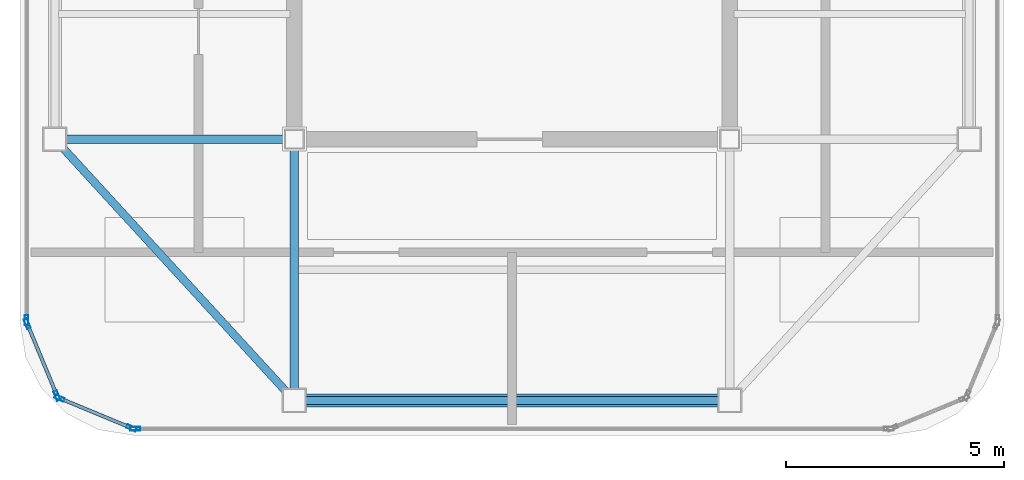
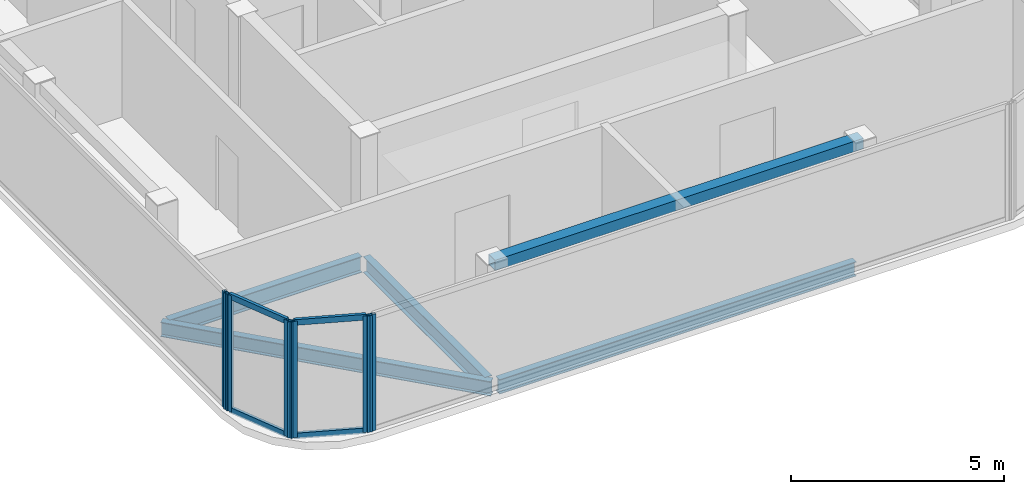
# One storey, part 2 of 11: 11 members, 4 beams, 4 elements without a shape of their own.
"""IFC4 building model written with IfcOpenShell, lengths in metres."""

from ifc_helpers import new_model, si_unit, direction, frame, origin, origin_2d, place, context, subcontext, project, spatial, hollow_rectangle, i_section, extrude, source, transform, mapped, material, layer, layer_set, material_profile, profile_set, type_object, element, aggregate, save


model = new_model("IFC4")

# Units and contexts
model_context = context("Model", 3, precision=1e-05, world=origin(), true_north=direction((0.0, 1.0)))
body_context = subcontext(model_context, "Body", "Model", "MODEL_VIEW")
ifc_project = project(units=[si_unit("LENGTHUNIT", "METRE"), si_unit("AREAUNIT", "SQUARE_METRE"), si_unit("VOLUMEUNIT", "CUBIC_METRE"), si_unit("PLANEANGLEUNIT", "RADIAN"), si_unit("MASSUNIT", "GRAM", prefix="KILO")], contexts=[model_context])

# Site, building, storey
site_placement = place(None, origin())
site = spatial("IfcSite", under=ifc_project, at=site_placement, CompositionType="ELEMENT")
building_placement = place(site_placement, origin())
building = spatial("IfcBuilding", under=site, at=building_placement, Name="Kolveth Station Tower", CompositionType="ELEMENT")
storey_placement = place(building_placement, frame((0.0, 0.0, 292.89990234375)))
storey = spatial("IfcBuildingStorey", under=building, at=storey_placement, Name="L84", CompositionType="ELEMENT", Elevation=292.89990234375)

# Beams
ifc_material_1 = material(Name="Steel S355", Category="steel")
ifc_material_profile_1 = material_profile(ifc_material_1, i_section(OverallWidth=0.180908203125, OverallDepth=0.4169921875, WebThickness=0.010986328125, FlangeThickness=0.018310546875, at=origin_2d()), Name="W410x85")
ifc_profile_set_1 = profile_set([ifc_material_profile_1], Name="Steel S355")
beam_type_1 = type_object("IfcBeamType", Name="Beam_B8", PredefinedType="BEAM", material=ifc_profile_set_1)
shared_shape_1 = source(origin(), body_context, "Body", "SweptSolid", [
    extrude(i_section(OverallWidth=0.180908203125, OverallDepth=0.4169921875, WebThickness=0.010986328125, FlangeThickness=0.018310546875, at=origin_2d()), origin(), (0.0, 0.0, 1.0), 9.68017578125),
])
beam_1_placement = place(storey_placement, frame((18.659912109375, 5.5, -0.428466796875), z_axis=(1.0, 0.0, 0.0), x_axis=(0.0, 1.0, 0.0)))
element("IfcBeam", 1, at=beam_1_placement, inside=storey, type_object=beam_type_1, Name="L84 Perimeter Spandrel BM-L84-PS-1", PredefinedType="BEAM", context=body_context, shape_type="MappedRepresentation", body=[
    mapped(shared_shape_1, transform((0.0, 0.0, 0.0), x_axis=(1.0, 0.0, 0.0), y_axis=(0.0, 1.0, 0.0), z_axis=(0.0, 0.0, 1.0), scale=1.0)),
])
ifc_material_profile_2 = material_profile(ifc_material_1, i_section(OverallWidth=0.19091796875, OverallDepth=0.4599609375, WebThickness=0.010009765625, FlangeThickness=0.01611328125, at=origin_2d()), Name="W460x82")
ifc_profile_set_2 = profile_set([ifc_material_profile_2], Name="Steel S355")
beam_type_2 = type_object("IfcBeamType", Name="Beam_B7", PredefinedType="BEAM", material=ifc_profile_set_2)
shared_shape_2 = source(origin(), body_context, "Body", "SweptSolid", [
    extrude(i_section(OverallWidth=0.19091796875, OverallDepth=0.4599609375, WebThickness=0.010009765625, FlangeThickness=0.01611328125, at=origin_2d()), origin(), (0.0, 0.0, 1.0), 5.22998046875),
])
beam_2_placement = place(storey_placement, frame((13.159912109375, 11.5, -0.449951171875), z_axis=(1.0, 0.0, 0.0), x_axis=(0.0, 1.0, 0.0)))
element("IfcBeam", 2, at=beam_2_placement, inside=storey, type_object=beam_type_2, Name="L84 Primary Girder BM-L84-GY115-1", PredefinedType="BEAM", context=body_context, shape_type="MappedRepresentation", body=[
    mapped(shared_shape_2, transform((0.0, 0.0, 0.0), x_axis=(1.0, 0.0, 0.0), y_axis=(0.0, 1.0, 0.0), z_axis=(0.0, 0.0, 1.0), scale=1.0)),
])
shared_shape_3 = source(origin(), body_context, "Body", "SweptSolid", [
    extrude(i_section(OverallWidth=0.19091796875, OverallDepth=0.4599609375, WebThickness=0.010009765625, FlangeThickness=0.01611328125, at=origin_2d()), origin(), (0.0, 0.0, 1.0), 5.72998046875),
])
beam_3_placement = place(storey_placement, frame((18.5, 5.659912109375, -0.449951171875), z_axis=(0.0, 1.0, 0.0), x_axis=(-1.0, 0.0, 0.0)))
element("IfcBeam", 3, at=beam_3_placement, inside=storey, type_object=beam_type_2, Name="L84 Primary Girder BM-L84-GX185-1", PredefinedType="BEAM", context=body_context, shape_type="MappedRepresentation", body=[
    mapped(shared_shape_3, transform((0.0, 0.0, 0.0), x_axis=(1.0, 0.0, 0.0), y_axis=(0.0, 1.0, 0.0), z_axis=(0.0, 0.0, 1.0), scale=1.0)),
])
shared_shape_4 = source(origin(), body_context, "Body", "SweptSolid", [
    extrude(i_section(OverallWidth=0.180908203125, OverallDepth=0.4169921875, WebThickness=0.010986328125, FlangeThickness=0.018310546875, at=origin_2d()), origin(), (0.0, 0.0, 1.0), 8.139404296875),
])
beam_4_placement = place(storey_placement, frame((13.0, 11.5, -0.428466796875), z_axis=(0.675724628517, -0.737154140201, 0.0), x_axis=(0.737154140201, 0.675724628517, 0.0)))
element("IfcBeam", 4, at=beam_4_placement, inside=storey, type_object=beam_type_1, Name="L84 Corner Edge Girder BM-L84-CNR-SW", PredefinedType="BEAM", context=body_context, shape_type="MappedRepresentation", body=[
    mapped(shared_shape_4, transform((0.0, 0.0, 0.0), x_axis=(1.0, 0.0, 0.0), y_axis=(0.0, 1.0, 0.0), z_axis=(0.0, 0.0, 1.0), scale=1.0)),
])

# Member
ifc_material_profile_3 = material_profile(ifc_material_1, hollow_rectangle(XDim=0.300048828125, YDim=0.300048828125, WallThickness=0.01611328125, at=origin_2d()), Name="CROWN-HSS300x300x16")
ifc_profile_set_3 = profile_set([ifc_material_profile_3], Name="Steel S355")
member_type_1 = type_object("IfcMemberType", Name="Mem_CF1", PredefinedType="CHORD", material=ifc_profile_set_3)
shared_shape_5 = source(origin(), body_context, "Body", "SweptSolid", [
    extrude(hollow_rectangle(XDim=0.300048828125, YDim=0.300048828125, WallThickness=0.01611328125, at=origin_2d()), origin(), (0.0, 0.0, 1.0), 10.0),
])
member_1_placement = place(storey_placement, frame((18.5, 5.5, 3.150146484375), z_axis=(1.0, 0.0, 0.0), x_axis=(0.0, 1.0, 0.0)))
element("IfcMember", 5, at=member_1_placement, inside=storey, type_object=member_type_1, Name="L84 Crown Frame Ring Chord 1", PredefinedType="CHORD", context=body_context, shape_type="MappedRepresentation", body=[
    mapped(shared_shape_5, transform((0.0, 0.0, 0.0), x_axis=(1.0, 0.0, 0.0), y_axis=(0.0, 1.0, 0.0), z_axis=(0.0, 0.0, 1.0), scale=1.0)),
])

# Curtain wall, members
ifc_material_2 = material(Name="Black anodized aluminium 6063-T6 and dark crown glass", Category="aluminium")
ifc_layer = layer(ifc_material_2, 0.169921875)
ifc_layer_set = layer_set([ifc_layer], Name="Black anodized aluminium 6063-T6 and dark crown glass")
curtain_wall_type = type_object("IfcCurtainWallType", Name="CurtainWall_CW-CR", PredefinedType="NOTDEFINED", material=ifc_layer_set)
curtain_wall_1_placement = place(storey_placement, origin())
curtain_wall_1 = element("IfcCurtainWall", 6, at=curtain_wall_1_placement, inside=storey, type_object=curtain_wall_type, Name="L84 Stepped Crown Curtain Wall 10", PredefinedType="NOTDEFINED")
ifc_material_3 = material(Name="Black anodized aluminium 6063-T6", Category="aluminium")
ifc_material_profile_4 = material_profile(ifc_material_3, hollow_rectangle(XDim=0.080078125, YDim=0.1650390625, WallThickness=0.0048828125, at=origin_2d()), Name="ALU-80x165x5")
ifc_profile_set_4 = profile_set([ifc_material_profile_4], Name="Black anodized aluminium 6063-T6")
member_type_2 = type_object("IfcMemberType", Name="Transom_TR-CR", PredefinedType="USERDEFINED", material=ifc_profile_set_4)
shared_shape_6 = source(origin(), body_context, "Body", "SweptSolid", [
    extrude(hollow_rectangle(XDim=0.080078125, YDim=0.1650390625, WallThickness=0.0048828125, at=origin_2d()), origin(), (0.0, 0.0, 1.0), 1.705078125),
])
member_2_placement = place(storey_placement, frame((12.382568359375, 7.221435546875, 0.0400390625), z_axis=(0.38274381958, -0.923854516996, 0.0), x_axis=(0.923854516996, 0.38274381958, 0.0)))
member_2 = element("IfcMember", 7, at=member_2_placement, type_object=member_type_2, Name="CW-CR transom 1.1", ObjectType="TRANSOM", PredefinedType="USERDEFINED", context=body_context, shape_type="MappedRepresentation", body=[
    mapped(shared_shape_6, transform((0.0, 0.0, 0.0), x_axis=(1.0, 0.0, 0.0), y_axis=(0.0, 1.0, 0.0), z_axis=(0.0, 0.0, 1.0), scale=1.0)),
])
member_3_placement = place(storey_placement, frame((12.382568359375, 7.221435546875, 3.300048828125), z_axis=(0.38274381958, -0.923854516996, 0.0), x_axis=(0.923854516996, 0.38274381958, 0.0)))
member_3 = element("IfcMember", 8, at=member_3_placement, type_object=member_type_2, Name="CW-CR transom 1.2", ObjectType="TRANSOM", PredefinedType="USERDEFINED", context=body_context, shape_type="MappedRepresentation", body=[
    mapped(shared_shape_6, transform((0.0, 0.0, 0.0), x_axis=(1.0, 0.0, 0.0), y_axis=(0.0, 1.0, 0.0), z_axis=(0.0, 0.0, 1.0), scale=1.0)),
])

curtain_wall_2_placement = place(storey_placement, origin())
curtain_wall_2 = element("IfcCurtainWall", 9, at=curtain_wall_2_placement, inside=storey, type_object=curtain_wall_type, Name="L84 Stepped Crown Curtain Wall 11", PredefinedType="NOTDEFINED")
member_4_placement = place(storey_placement, frame((13.146240234375, 5.53515625, 0.0400390625), z_axis=(0.923854516996, -0.38274381958, 0.0), x_axis=(0.38274381958, 0.923854516996, 0.0)))
member_4 = element("IfcMember", 10, at=member_4_placement, type_object=member_type_2, Name="CW-CR transom 1.1", ObjectType="TRANSOM", PredefinedType="USERDEFINED", context=body_context, shape_type="MappedRepresentation", body=[
    mapped(shared_shape_6, transform((0.0, 0.0, 0.0), x_axis=(1.0, 0.0, 0.0), y_axis=(0.0, 1.0, 0.0), z_axis=(0.0, 0.0, 1.0), scale=1.0)),
])
member_5_placement = place(storey_placement, frame((13.146240234375, 5.53515625, 3.300048828125), z_axis=(0.923854516996, -0.38274381958, 0.0), x_axis=(0.38274381958, 0.923854516996, 0.0)))
member_5 = element("IfcMember", 11, at=member_5_placement, type_object=member_type_2, Name="CW-CR transom 1.2", ObjectType="TRANSOM", PredefinedType="USERDEFINED", context=body_context, shape_type="MappedRepresentation", body=[
    mapped(shared_shape_6, transform((0.0, 0.0, 0.0), x_axis=(1.0, 0.0, 0.0), y_axis=(0.0, 1.0, 0.0), z_axis=(0.0, 0.0, 1.0), scale=1.0)),
])

# Curtain wall, member
curtain_wall_3_placement = place(storey_placement, origin())
curtain_wall_3 = element("IfcCurtainWall", 12, at=curtain_wall_3_placement, inside=storey, type_object=curtain_wall_type, Name="L84 Stepped Crown Curtain Wall 9", PredefinedType="NOTDEFINED")
ifc_material_profile_5 = material_profile(ifc_material_3, hollow_rectangle(XDim=0.0849609375, YDim=0.22998046875, WallThickness=0.0048828125, at=origin_2d()), Name="ALU-85x230x5")
ifc_profile_set_5 = profile_set([ifc_material_profile_5], Name="Black anodized aluminium 6063-T6")
member_type_3 = type_object("IfcMemberType", Name="Mullion_ML-CR", PredefinedType="MULLION", material=ifc_profile_set_5)
shared_shape_7 = source(origin(), body_context, "Body", "SweptSolid", [
    extrude(hollow_rectangle(XDim=0.0849609375, YDim=0.22998046875, WallThickness=0.0048828125, at=origin_2d()), origin(), (0.0, 0.0, 1.0), 3.340087890625),
])
member_6_placement = place(storey_placement, frame((12.35009765625, 7.342529296875, 0.0), z_axis=(0.0, 0.0, 1.0), x_axis=(1.0, 0.0, 0.0)))
member_6 = element("IfcMember", 13, at=member_6_placement, type_object=member_type_3, Name="CW-CR mullion 2", PredefinedType="MULLION", context=body_context, shape_type="MappedRepresentation", body=[
    mapped(shared_shape_7, transform((0.0, 0.0, 0.0), x_axis=(1.0, 0.0, 0.0), y_axis=(0.0, 1.0, 0.0), z_axis=(0.0, 0.0, 1.0), scale=1.0)),
])
aggregate(curtain_wall_3, [member_6])

# Member
member_7_placement = place(storey_placement, frame((12.3662109375, 7.2607421875, 0.0), z_axis=(0.0, 0.0, 1.0), x_axis=(0.923876435676, 0.382690908701, 0.0)))
member_7 = element("IfcMember", 14, at=member_7_placement, type_object=member_type_3, Name="CW-CR mullion 1", PredefinedType="MULLION", context=body_context, shape_type="MappedRepresentation", body=[
    mapped(shared_shape_7, transform((0.0, 0.0, 0.0), x_axis=(1.0, 0.0, 0.0), y_axis=(0.0, 1.0, 0.0), z_axis=(0.0, 0.0, 1.0), scale=1.0)),
])

member_8_placement = place(storey_placement, frame((13.05126953125, 5.60693359375, 0.0), z_axis=(0.0, 0.0, 1.0), x_axis=(0.923876435676, 0.382690908701, 0.0)))
member_8 = element("IfcMember", 15, at=member_8_placement, type_object=member_type_3, Name="CW-CR mullion 2", PredefinedType="MULLION", context=body_context, shape_type="MappedRepresentation", body=[
    mapped(shared_shape_7, transform((0.0, 0.0, 0.0), x_axis=(1.0, 0.0, 0.0), y_axis=(0.0, 1.0, 0.0), z_axis=(0.0, 0.0, 1.0), scale=1.0)),
])

aggregate(curtain_wall_1, [member_7, member_8, member_2, member_3])

member_9_placement = place(storey_placement, frame((13.10693359375, 5.55126953125, 0.0), z_axis=(0.0, 0.0, 1.0), x_axis=(0.382690908701, 0.923876435676, 0.0)))
member_9 = element("IfcMember", 16, at=member_9_placement, type_object=member_type_3, Name="CW-CR mullion 1", PredefinedType="MULLION", context=body_context, shape_type="MappedRepresentation", body=[
    mapped(shared_shape_7, transform((0.0, 0.0, 0.0), x_axis=(1.0, 0.0, 0.0), y_axis=(0.0, 1.0, 0.0), z_axis=(0.0, 0.0, 1.0), scale=1.0)),
])

member_10_placement = place(storey_placement, frame((14.7607421875, 4.8662109375, 0.0), z_axis=(0.0, 0.0, 1.0), x_axis=(0.382690908701, 0.923876435676, 0.0)))
member_10 = element("IfcMember", 17, at=member_10_placement, type_object=member_type_3, Name="CW-CR mullion 2", PredefinedType="MULLION", context=body_context, shape_type="MappedRepresentation", body=[
    mapped(shared_shape_7, transform((0.0, 0.0, 0.0), x_axis=(1.0, 0.0, 0.0), y_axis=(0.0, 1.0, 0.0), z_axis=(0.0, 0.0, 1.0), scale=1.0)),
])

aggregate(curtain_wall_2, [member_9, member_10, member_4, member_5])

# Curtain wall, member
curtain_wall_4_placement = place(storey_placement, origin())
curtain_wall_4 = element("IfcCurtainWall", 18, at=curtain_wall_4_placement, inside=storey, type_object=curtain_wall_type, Name="L84 Stepped Crown Curtain Wall 12", PredefinedType="NOTDEFINED")
member_11_placement = place(storey_placement, frame((14.842529296875, 4.85009765625, 0.0), z_axis=(0.0, 0.0, 1.0), x_axis=(0.0, 1.0, 0.0)))
member_11 = element("IfcMember", 19, at=member_11_placement, type_object=member_type_3, Name="CW-CR mullion 1", PredefinedType="MULLION", context=body_context, shape_type="MappedRepresentation", body=[
    mapped(shared_shape_7, transform((0.0, 0.0, 0.0), x_axis=(1.0, 0.0, 0.0), y_axis=(0.0, 1.0, 0.0), z_axis=(0.0, 0.0, 1.0), scale=1.0)),
])
aggregate(curtain_wall_4, [member_11])

save(model, "model.ifc")
